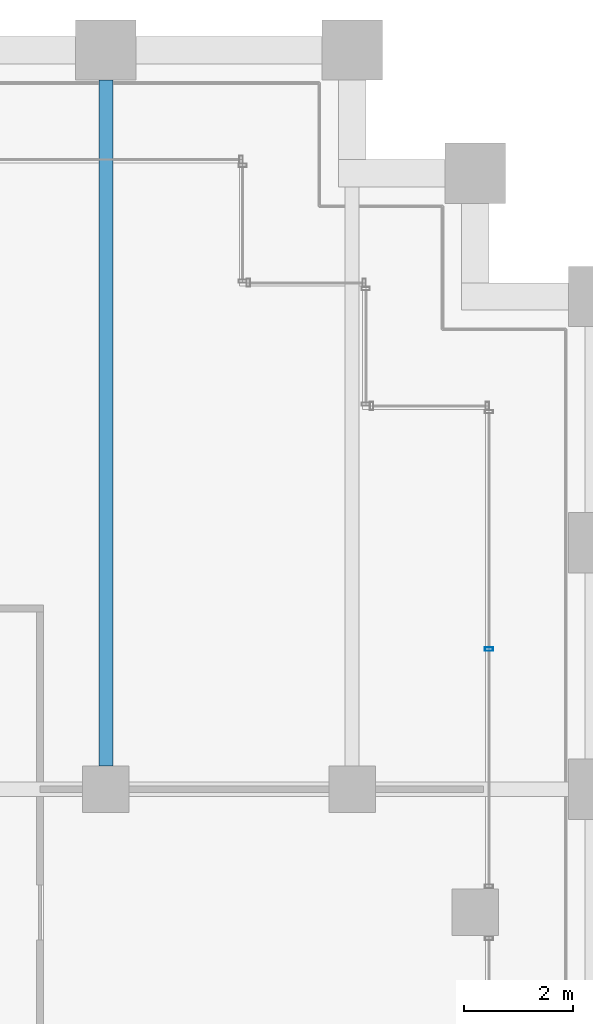
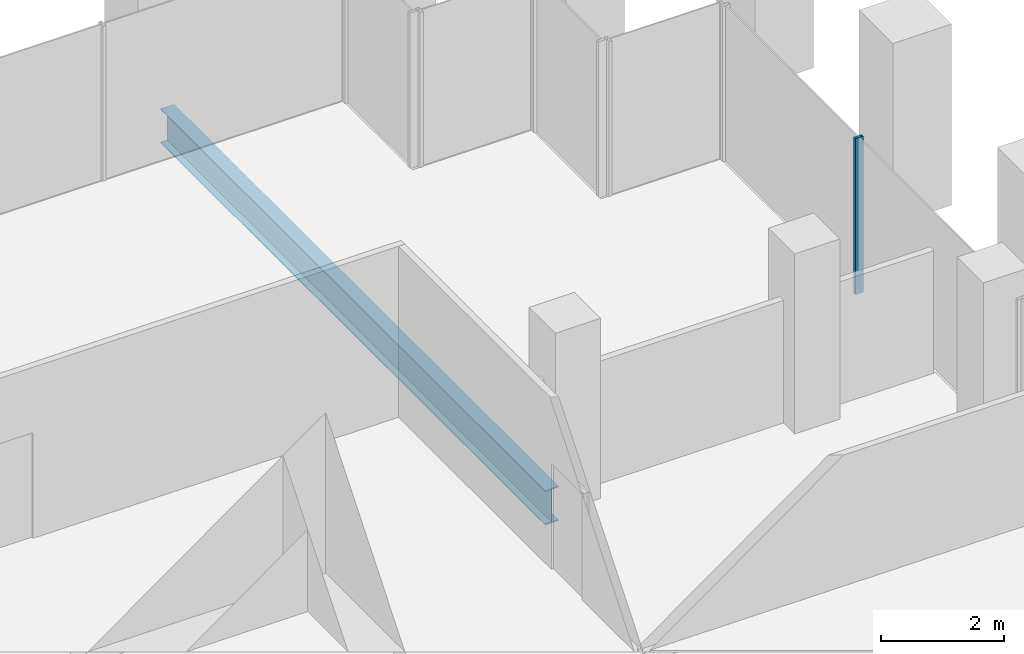
# One storey, part 30 of 56: 1 beam, 1 member, 1 element without a shape of its own.
"""IFC4 building model written with IfcOpenShell, lengths in metres."""

from ifc_helpers import new_model, si_unit, direction, frame, origin, origin_2d, place, context, subcontext, project, spatial, hollow_rectangle, i_section, extrude, material, material_profile, profile_set, type_object, element, aggregate, save


model = new_model("IFC4")

# Units and contexts
model_context = context("Model", 3, precision=1e-05, world=origin(), true_north=direction((0.0, 1.0)))
body_context = subcontext(model_context, "Body", "Model", "MODEL_VIEW")
ifc_project = project(units=[si_unit("LENGTHUNIT", "METRE"), si_unit("AREAUNIT", "SQUARE_METRE"), si_unit("VOLUMEUNIT", "CUBIC_METRE"), si_unit("PLANEANGLEUNIT", "RADIAN"), si_unit("MASSUNIT", "GRAM", prefix="KILO")], contexts=[model_context])

# Site, building, storey
site_placement = place(None, origin())
site = spatial("IfcSite", under=ifc_project, at=site_placement, CompositionType="ELEMENT")
building_placement = place(site_placement, origin())
building = spatial("IfcBuilding", under=site, at=building_placement, Name="Altepetl Exchange Towers", CompositionType="ELEMENT")
storey_placement = place(building_placement, frame((0.0, 0.0, 83.39990234375)))
storey = spatial("IfcBuildingStorey", under=building, at=storey_placement, Name="L20", CompositionType="ELEMENT", Elevation=83.39990234375)

# Beam
ifc_material_1 = material(Name="Steel S355", Category="steel")
ifc_material_profile_1 = material_profile(ifc_material_1, i_section(OverallWidth=0.25390625, OverallDepth=0.68408203125, WebThickness=0.012451171875, FlangeThickness=0.018798828125, at=origin_2d()), Name="W27X94")
ifc_profile_set_1 = profile_set([ifc_material_profile_1], Name="Steel S355")
beam_type = type_object("IfcBeamType", Name="Floor beam W27X94", PredefinedType="BEAM", material=ifc_profile_set_1)
beam_placement = place(storey_placement, frame((63.0, 58.925048828125, -0.491943359375), z_axis=(0.0, 1.0, 0.0), x_axis=(-1.0, 0.0, 0.0)))
element("IfcBeam", 1, at=beam_placement, inside=storey, type_object=beam_type, Name="bm:A:L20:004", PredefinedType="BEAM", context=body_context, shape_type="SweptSolid", body=[
    extrude(i_section(OverallWidth=0.25390625, OverallDepth=0.68408203125, WebThickness=0.012451171875, FlangeThickness=0.018798828125, at=origin_2d()), origin(), (0.0, 0.0, 1.0), 12.52490234375),
])

# Curtain wall, member
ifc_material_2 = material(Name="Aluminium 6063-T6 glazing", Category="aluminium")
curtain_wall_type = type_object("IfcCurtainWallType", Name="Loggia glazing system", PredefinedType="NOTDEFINED", material=ifc_material_2)
curtain_wall_placement = place(storey_placement, origin())
curtain_wall = element("IfcCurtainWall", 2, at=curtain_wall_placement, inside=storey, type_object=curtain_wall_type, Name="CW1 run", PredefinedType="NOTDEFINED")
ifc_material_3 = material(Name="Aluminium 6063-T6", Category="aluminium")
ifc_material_profile_2 = material_profile(ifc_material_3, hollow_rectangle(XDim=0.06005859375, YDim=0.14990234375, WallThickness=0.0029296875, at=origin_2d()), Name="Mullion 60x150 aluminium")
ifc_profile_set_2 = profile_set([ifc_material_profile_2], Name="Aluminium 6063-T6")
member_type = type_object("IfcMemberType", Name="Mullion 60x150 aluminium", PredefinedType="MULLION", material=ifc_profile_set_2)
member_placement = place(storey_placement, frame((70.0, 61.06005859375, 0.0), z_axis=(0.0, 0.0, 1.0), x_axis=(0.0, 1.0, 0.0)))
member = element("IfcMember", 3, at=member_placement, type_object=member_type, Name="MU1 mullion", PredefinedType="MULLION", context=body_context, shape_type="SweptSolid", body=[
    extrude(hollow_rectangle(XDim=0.06005859375, YDim=0.14990234375, WallThickness=0.0029296875, at=origin_2d()), origin(), (0.0, 0.0, 1.0), 3.10009765625),
])
aggregate(curtain_wall, [member])

save(model, "model.ifc")
